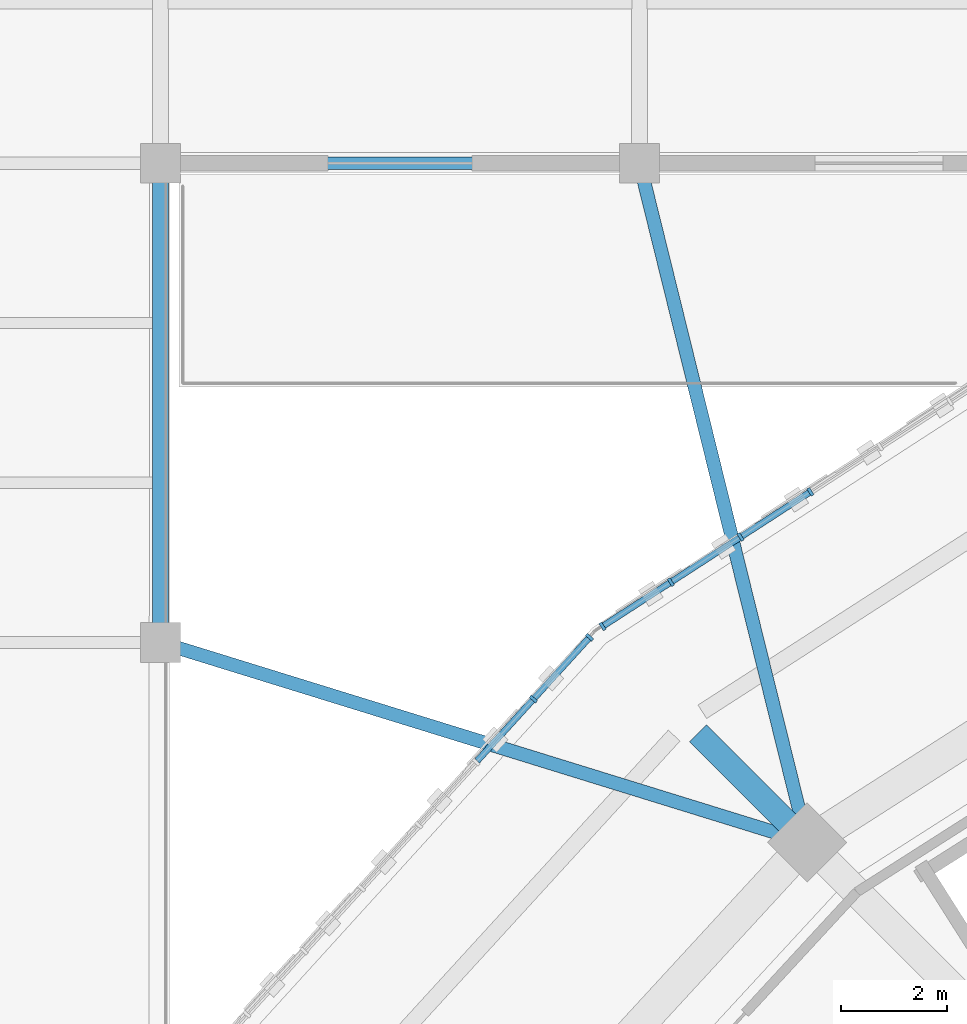
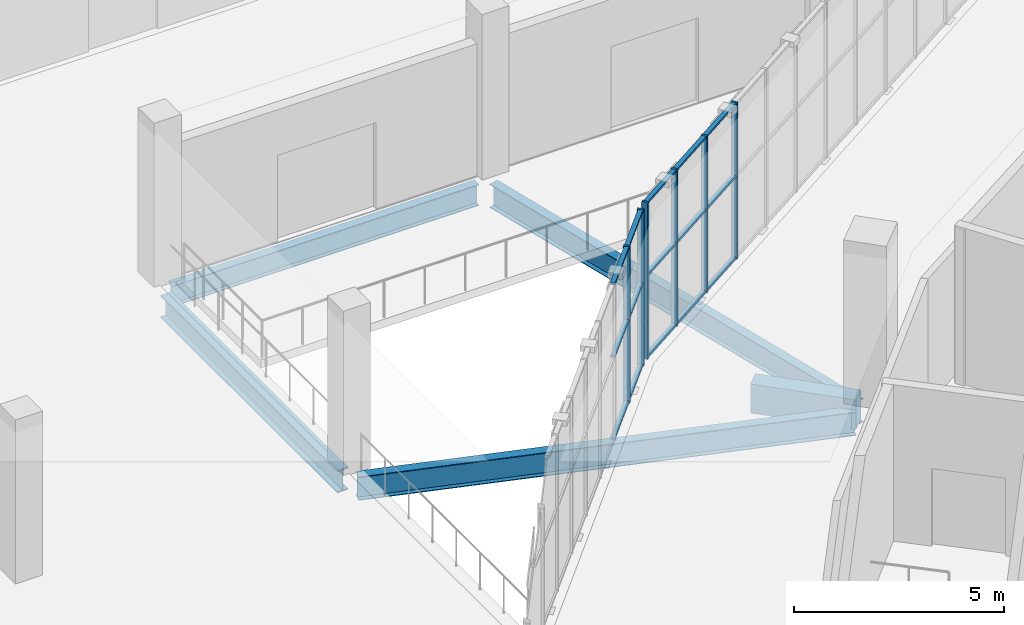
# One storey, part 48 of 152: 21 members, 5 beams, 2 elements without a shape of their own.
"""IFC4 building model written with IfcOpenShell, lengths in metres."""

import ifcopenshell
import ifcopenshell.guid

model = None  # the IFC model being written
_history = None  # IfcOwnerHistory: only IFC2X3 demands one
_inside = {}  # id of a spatial element -> (the spatial element, [elements in it])
_under = {}  # id of a project, library or spatial element -> (it, [spatial elements below it])
_declared = {}  # id of a project -> (the project, [libraries it declares])
_typed = {}  # id of a type object -> (the type object, [elements of that type])
_made_of = {}  # id of a material, layer set ... -> (it, [elements and type objects made of it])


def new_model(schema):
    """Start an empty IFC model of exactly this schema.

    Asked for "IFC4X3", IfcOpenShell would pick the latest addendum, in which some entities
    have other attributes; the version numbers below select the first issue.
    IFC2X3 requires an IfcOwnerHistory on every rooted entity: one is made here for all.
    """
    global model, _history
    if schema == "IFC4X3":
        model = ifcopenshell.file(schema_version=(4, 3, 0, 0))
    else:
        model = ifcopenshell.file(schema=schema)
    _inside.clear()
    _under.clear()
    _declared.clear()
    _typed.clear()
    _made_of.clear()
    _history = None
    if model.schema == "IFC2X3":
        org = make("IfcOrganization", Name="unknown")
        user = make(
            "IfcPersonAndOrganization",
            ThePerson=make("IfcPerson", FamilyName="unknown"),
            TheOrganization=org,
        )
        app = make(
            "IfcApplication",
            ApplicationDeveloper=org,
            Version="unknown",
            ApplicationFullName="unknown",
            ApplicationIdentifier="unknown",
        )
        _history = make(
            "IfcOwnerHistory",
            OwningUser=user,
            OwningApplication=app,
            ChangeAction="ADDED",
            CreationDate=0,
        )
    return model


def make(cls, **values):
    """One entity of the class cls with the attributes given. An attribute that is None is left unset."""
    return model.create_entity(
        cls, **{name: value for name, value in values.items() if value is not None}
    )


def rooted(cls, **values):
    """An entity with a GlobalId (a new one), such as an element, a storey or a relation."""
    return make(cls, GlobalId=ifcopenshell.guid.new(), OwnerHistory=_history, **values)


def si_unit(unit_type, name, prefix=None):
    """IfcSIUnit, for example si_unit("LENGTHUNIT", "METRE", prefix="MILLI")."""
    return make("IfcSIUnit", UnitType=unit_type, Prefix=prefix, Name=name)


def assignment(units):
    """IfcUnitAssignment: the units of a project."""
    return None if units is None else make("IfcUnitAssignment", Units=units)


def point(xyz):
    """IfcCartesianPoint."""
    return None if xyz is None else make("IfcCartesianPoint", Coordinates=xyz)


def direction(xyz):
    """IfcDirection."""
    return None if xyz is None else make("IfcDirection", DirectionRatios=xyz)


def frame(location, z_axis=None, x_axis=None):
    """IfcAxis2Placement3D, a coordinate frame: its origin and axes. An axis left out is left unset."""
    return make(
        "IfcAxis2Placement3D",
        Location=point(location),
        Axis=direction(z_axis),
        RefDirection=direction(x_axis),
    )


def frame_2d(location, x_axis=None):
    """IfcAxis2Placement2D, a coordinate frame in the plane: its origin and x axis."""
    return make(
        "IfcAxis2Placement2D", Location=point(location), RefDirection=direction(x_axis)
    )


def origin():
    """The frame at (0, 0, 0) with its axes left unset."""
    return frame((0.0, 0.0, 0.0))


def origin_2d():
    """The frame at (0, 0) in the plane with its x axis left unset."""
    return frame_2d((0.0, 0.0))


def place(relative_to, where):
    """IfcLocalPlacement: puts the frame where relative to a parent placement (None: the world)."""
    return make(
        "IfcLocalPlacement", PlacementRelTo=relative_to, RelativePlacement=where
    )


def context(
    kind, dimensions, precision=None, world=None, true_north=None, identifier=None
):
    """IfcGeometricRepresentationContext, for example the 3D "Model" context."""
    return make(
        "IfcGeometricRepresentationContext",
        ContextIdentifier=identifier,
        ContextType=kind,
        CoordinateSpaceDimension=dimensions,
        Precision=precision,
        WorldCoordinateSystem=world,
        TrueNorth=true_north,
    )


def subcontext(parent, identifier, kind, view, scale=None):
    """IfcGeometricRepresentationSubContext, for example "Body" below "Model"."""
    return make(
        "IfcGeometricRepresentationSubContext",
        ContextIdentifier=identifier,
        ContextType=kind,
        ParentContext=parent,
        TargetScale=scale,
        TargetView=view,
    )


def project(units=None, contexts=None):
    """IfcProject with its units and contexts."""
    return rooted(
        "IfcProject",
        Name="project",
        RepresentationContexts=contexts,
        UnitsInContext=assignment(units),
    )


def spatial(cls, under=None, at=None, **own):
    """A site, building, storey or space (cls), placed at a placement, below another one or the project."""
    s = rooted(cls, ObjectPlacement=at, **own)
    if under is not None:
        _under.setdefault(under.id(), (under, []))[1].append(s)
    return s


def profile(cls, at=None, kind="AREA", **sizes):
    """A parametric profile (cls). Its sizes go by their IFC names, for example OverallWidth=200.0."""
    return make(cls, ProfileType=kind, Position=at, **sizes)


def rectangle(**sizes):
    """IfcRectangleProfileDef."""
    return profile("IfcRectangleProfileDef", **sizes)


def i_section(**sizes):
    """IfcIShapeProfileDef."""
    return profile("IfcIShapeProfileDef", **sizes)


def extrude(swept, where, along, depth):
    """IfcExtrudedAreaSolid: the profile swept, set in the frame where, extruded along a direction by depth."""
    return make(
        "IfcExtrudedAreaSolid",
        SweptArea=swept,
        Position=where,
        ExtrudedDirection=direction(along),
        Depth=depth,
    )


def shape(context_of_items, identifier, shape_type, items):
    """IfcShapeRepresentation: the items that make up one representation, for example the "Body"."""
    return make(
        "IfcShapeRepresentation",
        ContextOfItems=context_of_items,
        RepresentationIdentifier=identifier,
        RepresentationType=shape_type,
        Items=items,
    )


def material(Name=None, Category=None):
    """IfcMaterial."""
    return make("IfcMaterial", Name=Name, Category=Category)


def material_profile(
    of_material, cross_section, Name=None, Category=None, Priority=None
):
    """IfcMaterialProfile: a cross section and its material."""
    return make(
        "IfcMaterialProfile",
        Name=Name,
        Material=of_material,
        Profile=cross_section,
        Priority=Priority,
        Category=Category,
    )


def profile_set(profiles, Name=None, composite=None):
    """IfcMaterialProfileSet."""
    return make(
        "IfcMaterialProfileSet",
        Name=Name,
        MaterialProfiles=profiles,
        CompositeProfile=composite,
    )


def made_of(thing, what):
    """Note that an element or type object is made of a material, layer set ...; save() writes the relation."""
    if what is not None:
        _made_of.setdefault(what.id(), (what, []))[1].append(thing)
    return thing


def type_object(cls, material=None, **own):
    """A type object (cls), such as IfcWallType, which elements share."""
    return made_of(rooted(cls, **own), material)


def element(
    cls,
    number,
    at=None,
    inside=None,
    cuts=None,
    type_object=None,
    material=None,
    context=None,
    identifier="Body",
    shape_type=None,
    held_by="IfcProductDefinitionShape",
    body=None,
    shapes=None,
    **own,
):
    """One element of the class cls, such as IfcWall. Its Tag is "e" and its number.

    at: its placement. inside: the storey or other place that contains it. cuts: it is an
    opening in that element (IfcRelVoidsElement). A single representation is given by context,
    identifier, shape_type and body (its items); several are given by shapes. held_by: the class
    of the entity that holds the representations. save() writes the other relations.
    """
    e = rooted(cls, Tag="e%d" % number, ObjectPlacement=at, **own)
    if body is not None:
        shapes = [shape(context, identifier, shape_type, body)]
    if shapes is not None:
        e.Representation = make(held_by, Representations=shapes)
    if inside is not None:
        _inside.setdefault(inside.id(), (inside, []))[1].append(e)
    if cuts is not None:
        rooted(
            "IfcRelVoidsElement", RelatingBuildingElement=cuts, RelatedOpeningElement=e
        )
    if type_object is not None:
        _typed.setdefault(type_object.id(), (type_object, []))[1].append(e)
    return made_of(e, material)


def aggregate(whole, parts):
    """IfcRelAggregates: a whole, such as a stair, and the parts it consists of."""
    return rooted("IfcRelAggregates", RelatingObject=whole, RelatedObjects=parts)


def save(model, path):
    """Write the relations noted so far, then the file.

    IfcRelAggregates (storeys below a building ...), IfcRelContainedInSpatialStructure (elements
    in a storey), IfcRelDefinesByType, IfcRelAssociatesMaterial and IfcRelDeclares: one each for
    every whole, place, type object, material and project.
    """
    for whole, parts in _under.values():
        aggregate(whole, parts)
    for where, things in _inside.values():
        rooted(
            "IfcRelContainedInSpatialStructure",
            RelatedElements=things,
            RelatingStructure=where,
        )
    for kind, things in _typed.values():
        rooted("IfcRelDefinesByType", RelatedObjects=things, RelatingType=kind)
    for what, things in _made_of.values():
        rooted("IfcRelAssociatesMaterial", RelatedObjects=things, RelatingMaterial=what)
    for by, libraries in _declared.values():
        rooted("IfcRelDeclares", RelatingContext=by, RelatedDefinitions=libraries)
    model.write(path)


model = new_model("IFC4")

# Units and contexts
model_context = context("Model", 3, precision=1e-05, world=origin(), true_north=direction((0.0, 1.0)))
body_context = subcontext(model_context, "Body", "Model", "MODEL_VIEW")
ifc_project = project(units=[si_unit("LENGTHUNIT", "METRE"), si_unit("AREAUNIT", "SQUARE_METRE"), si_unit("VOLUMEUNIT", "CUBIC_METRE"), si_unit("PLANEANGLEUNIT", "RADIAN"), si_unit("MASSUNIT", "GRAM", prefix="KILO")], contexts=[model_context])

# Site, building, storey
site_placement = place(None, origin())
site = spatial("IfcSite", under=ifc_project, at=site_placement, CompositionType="ELEMENT")
building_placement = place(site_placement, origin())
building = spatial("IfcBuilding", under=site, at=building_placement, Name="Zevraka Park Crest Stadium", CompositionType="ELEMENT")
storey_placement = place(building_placement, frame((0.0, 0.0, 15.0)))
storey = spatial("IfcBuildingStorey", under=building, at=storey_placement, Name="L03", CompositionType="ELEMENT", Elevation=15.0)

# Beams
ifc_material_1 = material(Name="Concrete C40/50", Category="concrete")
ifc_material_profile_1 = material_profile(ifc_material_1, rectangle(XDim=0.449951171875, YDim=0.85009765625, at=origin_2d()), Name="RC 850x450")
ifc_profile_set_1 = profile_set([ifc_material_profile_1], Name="Concrete C40/50")
beam_type_1 = type_object("IfcBeamType", Name="BG03", PredefinedType="BEAM", material=ifc_profile_set_1)
beam_1_placement = place(storey_placement, frame((47.93603515625, 145.45703125, -0.43505859375), z_axis=(-0.706965918589, 0.707247615728, 0.0), x_axis=(-0.707247615728, -0.706965918589, 0.0)))
element("IfcBeam", 1, at=beam_1_placement, inside=storey, type_object=beam_type_1, Name="Radial Girder BG03 L03-DE-09", PredefinedType="BEAM", context=body_context, shape_type="SweptSolid", body=[
    extrude(rectangle(XDim=0.449951171875, YDim=0.85009765625, at=origin_2d()), origin(), (0.0, 0.0, 1.0), 2.60009765625),
])
ifc_material_2 = material(Name="Steel S355", Category="steel")
ifc_material_profile_2 = material_profile(ifc_material_2, i_section(OverallWidth=0.253662109375, OverallDepth=0.68359375, WebThickness=0.012451171875, FlangeThickness=0.01904296875, at=origin_2d()), Name="UKB 686x254x140")
ifc_profile_set_2 = profile_set([ifc_material_profile_2], Name="Steel S355")
beam_type_2 = type_object("IfcBeamType", Name="BG05", PredefinedType="BEAM", material=ifc_profile_set_2)
beam_2_placement = place(storey_placement, frame((36.19091796875, 148.94091796875, -0.649658203125), z_axis=(0.955393662016, -0.295335318882, 0.0), x_axis=(0.295335318882, 0.955393662016, 0.0)))
element("IfcBeam", 2, at=beam_2_placement, inside=storey, type_object=beam_type_2, Name="Wing Link Girder BG05 L03-5/S", PredefinedType="BEAM", context=body_context, shape_type="SweptSolid", body=[
    extrude(i_section(OverallWidth=0.253662109375, OverallDepth=0.68359375, WebThickness=0.012451171875, FlangeThickness=0.01904296875, at=origin_2d()), origin(), (0.0, 0.0, 1.0), 12.13525390625),
])
beam_3_placement = place(storey_placement, frame((45.048095703125, 157.805908203125, -0.649658203125), z_axis=(0.23959769566, -0.970872259483, 0.0), x_axis=(0.970872259483, 0.23959769566, 0.0)))
element("IfcBeam", 3, at=beam_3_placement, inside=storey, type_object=beam_type_2, Name="Wing Link Girder BG05 L03-6/T", PredefinedType="BEAM", context=body_context, shape_type="SweptSolid", body=[
    extrude(i_section(OverallWidth=0.253662109375, OverallDepth=0.68359375, WebThickness=0.012451171875, FlangeThickness=0.01904296875, at=origin_2d()), origin(), (0.0, 0.0, 1.0), 12.5576171875),
])
ifc_material_3 = material(Name="Steel S355", Category="steel")
ifc_material_profile_3 = material_profile(ifc_material_3, i_section(OverallWidth=0.300048828125, OverallDepth=0.64990234375, WebThickness=0.01611328125, FlangeThickness=0.031005859375, at=origin_2d()), Name="HEB 650")
ifc_profile_set_3 = profile_set([ifc_material_profile_3], Name="Steel S355")
beam_type_3 = type_object("IfcBeamType", Name="BG07", PredefinedType="BEAM", material=ifc_profile_set_3)
beam_4_placement = place(storey_placement, frame((36.0, 149.300048828125, -0.633056640625), z_axis=(0.0, 1.0, 0.0), x_axis=(-1.0, 0.0, 0.0)))
element("IfcBeam", 4, at=beam_4_placement, inside=storey, type_object=beam_type_3, Name="Wing Girder BG07 L03-5/ST", PredefinedType="BEAM", context=body_context, shape_type="SweptSolid", body=[
    extrude(i_section(OverallWidth=0.300048828125, OverallDepth=0.64990234375, WebThickness=0.01611328125, FlangeThickness=0.031005859375, at=origin_2d()), origin(), (0.0, 0.0, 1.0), 8.39990234375),
])
ifc_material_4 = material(Name="Steel S355", Category="steel")
ifc_material_profile_4 = material_profile(ifc_material_4, i_section(OverallWidth=0.22900390625, OverallDepth=0.612060546875, WebThickness=0.011962890625, FlangeThickness=0.01953125, at=origin_2d()), Name="UKB 610x229x125")
ifc_profile_set_4 = profile_set([ifc_material_profile_4], Name="Steel S355")
beam_type_4 = type_object("IfcBeamType", Name="BG09", PredefinedType="BEAM", material=ifc_profile_set_4)
beam_5_placement = place(storey_placement, frame((36.300048828125, 158.0, -0.614013671875), z_axis=(1.0, 0.0, 0.0), x_axis=(0.0, 1.0, 0.0)))
element("IfcBeam", 5, at=beam_5_placement, inside=storey, type_object=beam_type_4, Name="Wing Girder BG09 L03-56/T", PredefinedType="BEAM", context=body_context, shape_type="SweptSolid", body=[
    extrude(i_section(OverallWidth=0.22900390625, OverallDepth=0.612060546875, WebThickness=0.011962890625, FlangeThickness=0.01953125, at=origin_2d()), origin(), (0.0, 0.0, 1.0), 8.39990234375),
])

# Curtain wall, members
ifc_material_5 = material(Name="Anodised architectural aluminium and laminated safety glass", Category="aluminium")
curtain_wall_type = type_object("IfcCurtainWallType", Name="CW13", PredefinedType="NOTDEFINED", material=ifc_material_5)
curtain_wall_1_placement = place(storey_placement, origin())
curtain_wall_1 = element("IfcCurtainWall", 6, at=curtain_wall_1_placement, inside=storey, type_object=curtain_wall_type, Name="Unitised Ring Curtain Wall CW13 L03-08", PredefinedType="NOTDEFINED")
ifc_material_6 = material(Name="Anodised architectural aluminium", Category="aluminium")
ifc_material_profile_5 = material_profile(ifc_material_6, rectangle(XDim=0.159912109375, YDim=0.06005859375, at=origin_2d()), Name="ALU MULLION 160x60")
ifc_profile_set_5 = profile_set([ifc_material_profile_5], Name="Anodised architectural aluminium")
member_type_1 = type_object("IfcMemberType", Name="CM01", PredefinedType="MULLION", material=ifc_profile_set_5)
member_1_placement = place(storey_placement, frame((48.20849609375, 151.8291015625, 0.0), z_axis=(0.0, 0.0, 1.0), x_axis=(0.543469160232, -0.839429134517, 0.0)))
member_1 = element("IfcMember", 7, at=member_1_placement, type_object=member_type_1, Name="CW13 mullion 13", PredefinedType="MULLION", context=body_context, shape_type="SweptSolid", body=[
    extrude(rectangle(XDim=0.159912109375, YDim=0.06005859375, at=origin_2d()), origin(), (0.0, 0.0, 1.0), 4.5400390625),
])
member_2_placement = place(storey_placement, frame((46.898681640625, 150.98095703125, 0.0), z_axis=(0.0, 0.0, 1.0), x_axis=(0.543469160232, -0.839429134517, 0.0)))
member_2 = element("IfcMember", 8, at=member_2_placement, type_object=member_type_1, Name="CW13 mullion 14", PredefinedType="MULLION", context=body_context, shape_type="SweptSolid", body=[
    extrude(rectangle(XDim=0.159912109375, YDim=0.06005859375, at=origin_2d()), origin(), (0.0, 0.0, 1.0), 4.5400390625),
])
member_3_placement = place(storey_placement, frame((45.5888671875, 150.133056640625, 0.0), z_axis=(0.0, 0.0, 1.0), x_axis=(0.543469160232, -0.839429134517, 0.0)))
member_3 = element("IfcMember", 9, at=member_3_placement, type_object=member_type_1, Name="CW13 mullion 15", PredefinedType="MULLION", context=body_context, shape_type="SweptSolid", body=[
    extrude(rectangle(XDim=0.159912109375, YDim=0.06005859375, at=origin_2d()), origin(), (0.0, 0.0, 1.0), 4.5400390625),
])
member_4_placement = place(storey_placement, frame((44.30419921875, 149.30126953125, 0.0), z_axis=(0.0, 0.0, 1.0), x_axis=(0.543469160232, -0.839429134517, 0.0)))
member_4 = element("IfcMember", 10, at=member_4_placement, type_object=member_type_1, Name="CW13 mullion 16", PredefinedType="MULLION", context=body_context, shape_type="SweptSolid", body=[
    extrude(rectangle(XDim=0.159912109375, YDim=0.06005859375, at=origin_2d()), origin(), (0.0, 0.0, 1.0), 4.5400390625),
])

curtain_wall_2_placement = place(storey_placement, origin())
curtain_wall_2 = element("IfcCurtainWall", 11, at=curtain_wall_2_placement, inside=storey, type_object=curtain_wall_type, Name="Unitised Ring Curtain Wall CW13 L03-09", PredefinedType="NOTDEFINED")
member_5_placement = place(storey_placement, frame((44.062744140625, 149.096923828125, 0.0), z_axis=(0.0, 0.0, 1.0), x_axis=(0.739822878481, -0.672801685845, 0.0)))
member_5 = element("IfcMember", 12, at=member_5_placement, type_object=member_type_1, Name="CW13 mullion 1", PredefinedType="MULLION", context=body_context, shape_type="SweptSolid", body=[
    extrude(rectangle(XDim=0.159912109375, YDim=0.06005859375, at=origin_2d()), origin(), (0.0, 0.0, 1.0), 4.5400390625),
])
member_6_placement = place(storey_placement, frame((43.0068359375, 147.935546875, 0.0), z_axis=(0.0, 0.0, 1.0), x_axis=(0.739822878481, -0.672801685845, 0.0)))
member_6 = element("IfcMember", 13, at=member_6_placement, type_object=member_type_1, Name="CW13 mullion 2", PredefinedType="MULLION", context=body_context, shape_type="SweptSolid", body=[
    extrude(rectangle(XDim=0.159912109375, YDim=0.06005859375, at=origin_2d()), origin(), (0.0, 0.0, 1.0), 4.5400390625),
])

# Member
ifc_material_7 = material(Name="Anodised architectural aluminium", Category="aluminium")
ifc_material_profile_6 = material_profile(ifc_material_7, rectangle(XDim=0.1201171875, YDim=0.06005859375, at=origin_2d()), Name="ALU TRANSOM 120x60")
ifc_profile_set_6 = profile_set([ifc_material_profile_6], Name="Anodised architectural aluminium")
member_type_2 = type_object("IfcMemberType", Name="CT01", PredefinedType="USERDEFINED", material=ifc_profile_set_6)
member_7_placement = place(storey_placement, frame((48.18310546875, 151.812744140625, 0.030029296875), z_axis=(-0.839386734847, -0.543534644124, 0.0), x_axis=(0.543534644124, -0.839386734847, 0.0)))
member_7 = element("IfcMember", 14, at=member_7_placement, type_object=member_type_2, Name="CW13 transom 13.1", ObjectType="TRANSOM", PredefinedType="USERDEFINED", context=body_context, shape_type="SweptSolid", body=[
    extrude(rectangle(XDim=0.1201171875, YDim=0.06005859375, at=origin_2d()), origin(), (0.0, 0.0, 1.0), 1.500244140625),
])

member_8_placement = place(storey_placement, frame((48.18310546875, 151.812744140625, 2.39990234375), z_axis=(-0.839386734847, -0.543534644124, 0.0), x_axis=(0.543534644124, -0.839386734847, 0.0)))
member_8 = element("IfcMember", 15, at=member_8_placement, type_object=member_type_2, Name="CW13 transom 13.2", ObjectType="TRANSOM", PredefinedType="USERDEFINED", context=body_context, shape_type="SweptSolid", body=[
    extrude(rectangle(XDim=0.1201171875, YDim=0.06005859375, at=origin_2d()), origin(), (0.0, 0.0, 1.0), 1.500244140625),
])

member_9_placement = place(storey_placement, frame((48.18310546875, 151.812744140625, 4.510009765625), z_axis=(-0.839386734847, -0.543534644124, 0.0), x_axis=(0.543534644124, -0.839386734847, 0.0)))
member_9 = element("IfcMember", 16, at=member_9_placement, type_object=member_type_2, Name="CW13 transom 13.3", ObjectType="TRANSOM", PredefinedType="USERDEFINED", context=body_context, shape_type="SweptSolid", body=[
    extrude(rectangle(XDim=0.1201171875, YDim=0.06005859375, at=origin_2d()), origin(), (0.0, 0.0, 1.0), 1.500244140625),
])

member_10_placement = place(storey_placement, frame((46.87353515625, 150.964599609375, 0.030029296875), z_axis=(-0.839509029958, -0.543345735807, 0.0), x_axis=(0.543345735807, -0.839509029958, 0.0)))
member_10 = element("IfcMember", 17, at=member_10_placement, type_object=member_type_2, Name="CW13 transom 14.1", ObjectType="TRANSOM", PredefinedType="USERDEFINED", context=body_context, shape_type="SweptSolid", body=[
    extrude(rectangle(XDim=0.1201171875, YDim=0.06005859375, at=origin_2d()), origin(), (0.0, 0.0, 1.0), 1.500244140625),
])

member_11_placement = place(storey_placement, frame((46.87353515625, 150.964599609375, 2.39990234375), z_axis=(-0.839509029958, -0.543345735807, 0.0), x_axis=(0.543345735807, -0.839509029958, 0.0)))
member_11 = element("IfcMember", 18, at=member_11_placement, type_object=member_type_2, Name="CW13 transom 14.2", ObjectType="TRANSOM", PredefinedType="USERDEFINED", context=body_context, shape_type="SweptSolid", body=[
    extrude(rectangle(XDim=0.1201171875, YDim=0.06005859375, at=origin_2d()), origin(), (0.0, 0.0, 1.0), 1.500244140625),
])

member_12_placement = place(storey_placement, frame((46.87353515625, 150.964599609375, 4.510009765625), z_axis=(-0.839509029958, -0.543345735807, 0.0), x_axis=(0.543345735807, -0.839509029958, 0.0)))
member_12 = element("IfcMember", 19, at=member_12_placement, type_object=member_type_2, Name="CW13 transom 14.3", ObjectType="TRANSOM", PredefinedType="USERDEFINED", context=body_context, shape_type="SweptSolid", body=[
    extrude(rectangle(XDim=0.1201171875, YDim=0.06005859375, at=origin_2d()), origin(), (0.0, 0.0, 1.0), 1.500244140625),
])

member_13_placement = place(storey_placement, frame((45.563720703125, 150.11669921875, 0.030029296875), z_axis=(-0.839458776454, -0.543423373286, 0.0), x_axis=(0.543423373286, -0.839458776454, 0.0)))
member_13 = element("IfcMember", 20, at=member_13_placement, type_object=member_type_2, Name="CW13 transom 15.1", ObjectType="TRANSOM", PredefinedType="USERDEFINED", context=body_context, shape_type="SweptSolid", body=[
    extrude(rectangle(XDim=0.1201171875, YDim=0.06005859375, at=origin_2d()), origin(), (0.0, 0.0, 1.0), 1.470458984375),
])

member_14_placement = place(storey_placement, frame((45.563720703125, 150.11669921875, 2.39990234375), z_axis=(-0.839458776454, -0.543423373286, 0.0), x_axis=(0.543423373286, -0.839458776454, 0.0)))
member_14 = element("IfcMember", 21, at=member_14_placement, type_object=member_type_2, Name="CW13 transom 15.2", ObjectType="TRANSOM", PredefinedType="USERDEFINED", context=body_context, shape_type="SweptSolid", body=[
    extrude(rectangle(XDim=0.1201171875, YDim=0.06005859375, at=origin_2d()), origin(), (0.0, 0.0, 1.0), 1.470458984375),
])

member_15_placement = place(storey_placement, frame((45.563720703125, 150.11669921875, 4.510009765625), z_axis=(-0.839458776454, -0.543423373286, 0.0), x_axis=(0.543423373286, -0.839458776454, 0.0)))
member_15 = element("IfcMember", 22, at=member_15_placement, type_object=member_type_2, Name="CW13 transom 15.3", ObjectType="TRANSOM", PredefinedType="USERDEFINED", context=body_context, shape_type="SweptSolid", body=[
    extrude(rectangle(XDim=0.1201171875, YDim=0.06005859375, at=origin_2d()), origin(), (0.0, 0.0, 1.0), 1.470458984375),
])

aggregate(curtain_wall_1, [member_1, member_2, member_3, member_4, member_7, member_8, member_9, member_10, member_11, member_12, member_13, member_14, member_15])

member_16_placement = place(storey_placement, frame((44.042724609375, 149.07470703125, 0.030029296875), z_axis=(-0.672841795223, -0.73978640066, 0.0), x_axis=(0.73978640066, -0.672841795223, 0.0)))
member_16 = element("IfcMember", 23, at=member_16_placement, type_object=member_type_2, Name="CW13 transom 1.1", ObjectType="TRANSOM", PredefinedType="USERDEFINED", context=body_context, shape_type="SweptSolid", body=[
    extrude(rectangle(XDim=0.1201171875, YDim=0.06005859375, at=origin_2d()), origin(), (0.0, 0.0, 1.0), 1.509765625),
])

member_17_placement = place(storey_placement, frame((44.042724609375, 149.07470703125, 2.39990234375), z_axis=(-0.672841795223, -0.73978640066, 0.0), x_axis=(0.73978640066, -0.672841795223, 0.0)))
member_17 = element("IfcMember", 24, at=member_17_placement, type_object=member_type_2, Name="CW13 transom 1.2", ObjectType="TRANSOM", PredefinedType="USERDEFINED", context=body_context, shape_type="SweptSolid", body=[
    extrude(rectangle(XDim=0.1201171875, YDim=0.06005859375, at=origin_2d()), origin(), (0.0, 0.0, 1.0), 1.509765625),
])

member_18_placement = place(storey_placement, frame((44.042724609375, 149.07470703125, 4.510009765625), z_axis=(-0.672841795223, -0.73978640066, 0.0), x_axis=(0.73978640066, -0.672841795223, 0.0)))
member_18 = element("IfcMember", 25, at=member_18_placement, type_object=member_type_2, Name="CW13 transom 1.3", ObjectType="TRANSOM", PredefinedType="USERDEFINED", context=body_context, shape_type="SweptSolid", body=[
    extrude(rectangle(XDim=0.1201171875, YDim=0.06005859375, at=origin_2d()), origin(), (0.0, 0.0, 1.0), 1.509765625),
])

member_19_placement = place(storey_placement, frame((42.986572265625, 147.913330078125, 0.030029296875), z_axis=(-0.672775385986, -0.739846794959, 0.0), x_axis=(0.739846794959, -0.672775385986, 0.0)))
member_19 = element("IfcMember", 26, at=member_19_placement, type_object=member_type_2, Name="CW13 transom 2.1", ObjectType="TRANSOM", PredefinedType="USERDEFINED", context=body_context, shape_type="SweptSolid", body=[
    extrude(rectangle(XDim=0.1201171875, YDim=0.06005859375, at=origin_2d()), origin(), (0.0, 0.0, 1.0), 1.539794921875),
])

member_20_placement = place(storey_placement, frame((42.986572265625, 147.913330078125, 2.39990234375), z_axis=(-0.672775385986, -0.739846794959, 0.0), x_axis=(0.739846794959, -0.672775385986, 0.0)))
member_20 = element("IfcMember", 27, at=member_20_placement, type_object=member_type_2, Name="CW13 transom 2.2", ObjectType="TRANSOM", PredefinedType="USERDEFINED", context=body_context, shape_type="SweptSolid", body=[
    extrude(rectangle(XDim=0.1201171875, YDim=0.06005859375, at=origin_2d()), origin(), (0.0, 0.0, 1.0), 1.539794921875),
])

member_21_placement = place(storey_placement, frame((42.986572265625, 147.913330078125, 4.510009765625), z_axis=(-0.672775385986, -0.739846794959, 0.0), x_axis=(0.739846794959, -0.672775385986, 0.0)))
member_21 = element("IfcMember", 28, at=member_21_placement, type_object=member_type_2, Name="CW13 transom 2.3", ObjectType="TRANSOM", PredefinedType="USERDEFINED", context=body_context, shape_type="SweptSolid", body=[
    extrude(rectangle(XDim=0.1201171875, YDim=0.06005859375, at=origin_2d()), origin(), (0.0, 0.0, 1.0), 1.539794921875),
])

aggregate(curtain_wall_2, [member_5, member_6, member_16, member_17, member_18, member_19, member_20, member_21])

save(model, "model.ifc")
